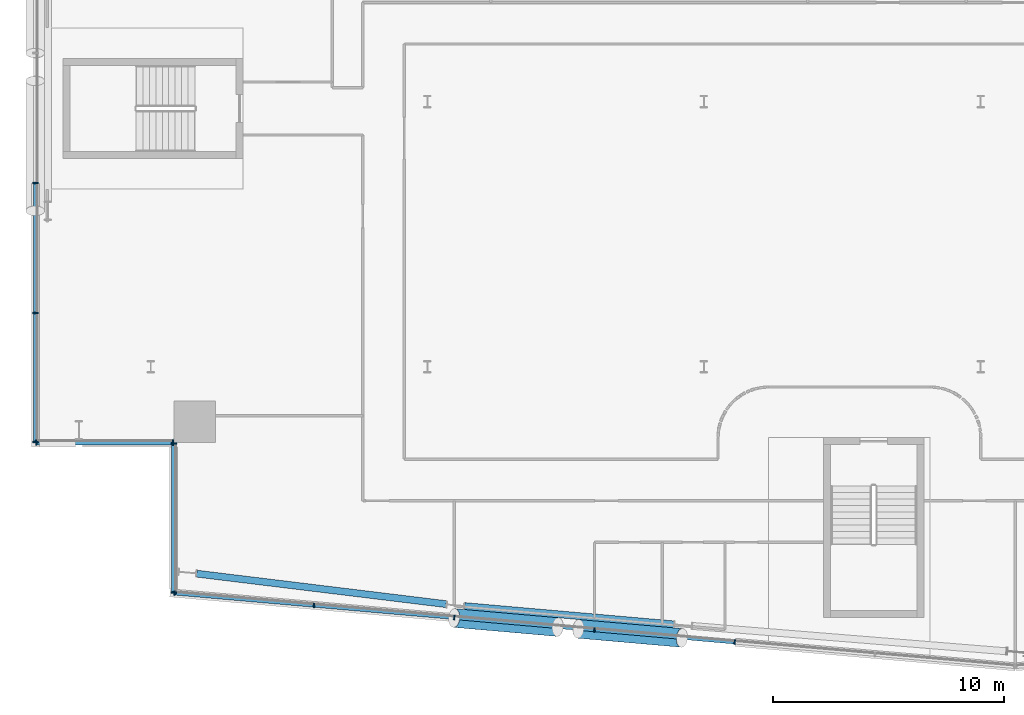
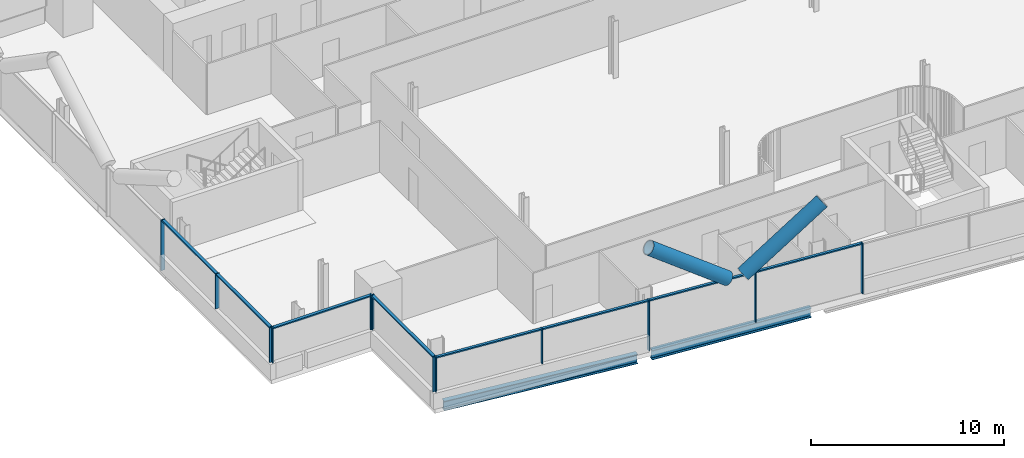
# One storey, part 5 of 31: 22 members, 2 beams, 4 elements without a shape of their own.
"""IFC4 building model written with IfcOpenShell, lengths in metres."""

from ifc_helpers import new_model, si_unit, direction, frame, origin, origin_2d, place, context, subcontext, project, spatial, rectangle, hollow_circle, i_section, extrude, material, material_profile, profile_set, type_object, element, aggregate, save


model = new_model("IFC4")

# Units and contexts
model_context = context("Model", 3, precision=1e-05, world=origin(), true_north=direction((0.0, 1.0)))
body_context = subcontext(model_context, "Body", "Model", "MODEL_VIEW")
ifc_project = project(units=[si_unit("LENGTHUNIT", "METRE"), si_unit("AREAUNIT", "SQUARE_METRE"), si_unit("VOLUMEUNIT", "CUBIC_METRE"), si_unit("PLANEANGLEUNIT", "RADIAN"), si_unit("MASSUNIT", "GRAM", prefix="KILO")], contexts=[model_context])

# Site, building, storey
site_placement = place(None, origin())
site = spatial("IfcSite", under=ifc_project, at=site_placement, CompositionType="ELEMENT")
building_placement = place(site_placement, origin())
building = spatial("IfcBuilding", under=site, at=building_placement, Name="Wharfspan Tower", CompositionType="ELEMENT")
storey_placement = place(building_placement, frame((0.0, 0.0, 103.899902)))
storey = spatial("IfcBuildingStorey", under=building, at=storey_placement, Name="L23", CompositionType="ELEMENT", Elevation=103.899902)

# Beams
ifc_material_1 = material(Name="Steel S355J2", Category="steel")
ifc_material_profile_1 = material_profile(ifc_material_1, i_section(OverallWidth=0.300049, OverallDepth=0.600098, WebThickness=0.015381, FlangeThickness=0.030029, FilletRadius=0.0271, at=origin_2d()))
ifc_profile_set_1 = profile_set([ifc_material_profile_1], Name="Steel S355J2")
beam_type = type_object("IfcBeamType", Name="Edge beam HEB 600", PredefinedType="SPANDREL", material=ifc_profile_set_1)
beam_1_placement = place(storey_placement, frame((13.990967, 2.520508, -0.699951), z_axis=(0.992611, -0.121342, 0.0), x_axis=(0.121342, 0.992611, 0.0)))
element("IfcBeam", 1, at=beam_1_placement, inside=storey, type_object=beam_type, Name="Edge beam S1 L23 PS1.1 to PS1.2", PredefinedType="SPANDREL", context=body_context, shape_type="SweptSolid", body=[
    extrude(i_section(OverallWidth=0.300049, OverallDepth=0.600098, WebThickness=0.015381, FlangeThickness=0.030029, FilletRadius=0.0271, at=origin_2d()), origin(), (0.0, 0.0, 1.0), 10.903076),
])
beam_2_placement = place(storey_placement, frame((25.615234, 1.113525, -0.699951), z_axis=(0.996195, -0.087151, 0.0), x_axis=(0.087151, 0.996195, 0.0)))
element("IfcBeam", 2, at=beam_2_placement, inside=storey, type_object=beam_type, Name="Edge beam S1 L23 PS1.2 to PS1.3", PredefinedType="SPANDREL", context=body_context, shape_type="SweptSolid", body=[
    extrude(i_section(OverallWidth=0.300049, OverallDepth=0.600098, WebThickness=0.015381, FlangeThickness=0.030029, FilletRadius=0.0271, at=origin_2d()), origin(), (0.0, 0.0, 1.0), 9.107178),
])

# Curtain wall, members
ifc_material_2 = material(Name="Aluminium 6063-T6", Category="aluminium")
curtain_wall_type_1 = type_object("IfcCurtainWallType", Name="CURTAIN WALL FACETED FRONT", PredefinedType="NOTDEFINED", material=ifc_material_2)
curtain_wall_1_placement = place(storey_placement, origin())
curtain_wall_1 = element("IfcCurtainWall", 3, at=curtain_wall_1_placement, inside=storey, type_object=curtain_wall_type_1, Name="Curtain wall S1", PredefinedType="NOTDEFINED")
ifc_material_profile_2 = material_profile(ifc_material_2, rectangle(XDim=0.199951, YDim=0.060059, at=origin_2d()))
ifc_profile_set_2 = profile_set([ifc_material_profile_2], Name="Aluminium 6063-T6")
member_type_1 = type_object("IfcMemberType", Name="MULLION FACETED FRONT 60x200", PredefinedType="MULLION", material=ifc_profile_set_2)
member_1_placement = place(storey_placement, frame((13.029785, 1.672363, 1.0), z_axis=(0.0, 0.0, 1.0), x_axis=(0.087156, 0.996198, 0.0)))
member_1 = element("IfcMember", 4, at=member_1_placement, type_object=member_type_1, Name="Curtain wall S1 mullion 1", PredefinedType="MULLION", context=body_context, shape_type="SweptSolid", body=[
    extrude(rectangle(XDim=0.199951, YDim=0.060059, at=origin_2d()), origin(), (0.0, 0.0, 1.0), 2.200195),
])
member_2_placement = place(storey_placement, frame((19.083252, 1.142822, 1.0), z_axis=(0.0, 0.0, 1.0), x_axis=(0.087156, 0.996198, 0.0)))
member_2 = element("IfcMember", 5, at=member_2_placement, type_object=member_type_1, Name="Curtain wall S1 mullion 2", PredefinedType="MULLION", context=body_context, shape_type="SweptSolid", body=[
    extrude(rectangle(XDim=0.199951, YDim=0.060059, at=origin_2d()), origin(), (0.0, 0.0, 1.0), 2.200195),
])
member_3_placement = place(storey_placement, frame((25.166748, 0.610596, 0.0), z_axis=(0.0, 0.0, 1.0), x_axis=(0.087156, 0.996198, 0.0)))
member_3 = element("IfcMember", 6, at=member_3_placement, type_object=member_type_1, Name="Curtain wall S1 mullion 3", PredefinedType="MULLION", context=body_context, shape_type="SweptSolid", body=[
    extrude(rectangle(XDim=0.199951, YDim=0.060059, at=origin_2d()), origin(), (0.0, 0.0, 1.0), 3.200195),
])
member_4_placement = place(storey_placement, frame((31.25, 0.078369, 0.0), z_axis=(0.0, 0.0, 1.0), x_axis=(0.087156, 0.996198, 0.0)))
member_4 = element("IfcMember", 7, at=member_4_placement, type_object=member_type_1, Name="Curtain wall S1 mullion 4", PredefinedType="MULLION", context=body_context, shape_type="SweptSolid", body=[
    extrude(rectangle(XDim=0.199951, YDim=0.060059, at=origin_2d()), origin(), (0.0, 0.0, 1.0), 3.200195),
])
member_5_placement = place(storey_placement, frame((37.333252, -0.453857, 0.0), z_axis=(0.0, 0.0, 1.0), x_axis=(0.087156, 0.996198, 0.0)))
member_5 = element("IfcMember", 8, at=member_5_placement, type_object=member_type_1, Name="Curtain wall S1 mullion 5", PredefinedType="MULLION", context=body_context, shape_type="SweptSolid", body=[
    extrude(rectangle(XDim=0.199951, YDim=0.060059, at=origin_2d()), origin(), (0.0, 0.0, 1.0), 3.200195),
])

curtain_wall_type_2 = type_object("IfcCurtainWallType", Name="CURTAIN WALL PROW AND END", PredefinedType="NOTDEFINED", material=ifc_material_2)
curtain_wall_2_placement = place(storey_placement, origin())
curtain_wall_2 = element("IfcCurtainWall", 9, at=curtain_wall_2_placement, inside=storey, type_object=curtain_wall_type_2, Name="Curtain wall W", PredefinedType="NOTDEFINED")
ifc_material_profile_3 = material_profile(ifc_material_2, rectangle(XDim=0.23999, YDim=0.060059, at=origin_2d()))
ifc_profile_set_3 = profile_set([ifc_material_profile_3], Name="Aluminium 6063-T6")
member_type_2 = type_object("IfcMemberType", Name="MULLION PROW AND END 60x240", PredefinedType="MULLION", material=ifc_profile_set_3)
member_6_placement = place(storey_placement, frame((7.0, 19.466553, 0.0), z_axis=(0.0, 0.0, 1.0), x_axis=(1.0, 0.0, 0.0)))
member_6 = element("IfcMember", 10, at=member_6_placement, type_object=member_type_2, Name="Curtain wall W mullion 5", PredefinedType="MULLION", context=body_context, shape_type="SweptSolid", body=[
    extrude(rectangle(XDim=0.23999, YDim=0.060059, at=origin_2d()), origin(), (0.0, 0.0, 1.0), 3.200195),
])
member_7_placement = place(storey_placement, frame((7.0, 13.833252, 1.0), z_axis=(0.0, 0.0, 1.0), x_axis=(1.0, 0.0, 0.0)))
member_7 = element("IfcMember", 11, at=member_7_placement, type_object=member_type_2, Name="Curtain wall W mullion 6", PredefinedType="MULLION", context=body_context, shape_type="SweptSolid", body=[
    extrude(rectangle(XDim=0.23999, YDim=0.060059, at=origin_2d()), origin(), (0.0, 0.0, 1.0), 2.200195),
])
member_8_placement = place(storey_placement, frame((7.0, 8.22998, 1.0), z_axis=(0.0, 0.0, 1.0), x_axis=(1.0, 0.0, 0.0)))
member_8 = element("IfcMember", 12, at=member_8_placement, type_object=member_type_2, Name="Curtain wall W mullion 7", PredefinedType="MULLION", context=body_context, shape_type="SweptSolid", body=[
    extrude(rectangle(XDim=0.23999, YDim=0.060059, at=origin_2d()), origin(), (0.0, 0.0, 1.0), 2.200195),
])

curtain_wall_3_placement = place(storey_placement, origin())
curtain_wall_3 = element("IfcCurtainWall", 13, at=curtain_wall_3_placement, inside=storey, type_object=curtain_wall_type_2, Name="Curtain wall NFW-H", PredefinedType="NOTDEFINED")
member_9_placement = place(storey_placement, frame((7.030029, 8.199951, 1.0), z_axis=(0.0, 0.0, 1.0), x_axis=(0.0, 1.0, 0.0)))
member_9 = element("IfcMember", 14, at=member_9_placement, type_object=member_type_2, Name="Curtain wall NFW-H mullion 1", PredefinedType="MULLION", context=body_context, shape_type="SweptSolid", body=[
    extrude(rectangle(XDim=0.23999, YDim=0.060059, at=origin_2d()), origin(), (0.0, 0.0, 1.0), 2.200195),
])
member_10_placement = place(storey_placement, frame((12.969971, 8.199951, 1.0), z_axis=(0.0, 0.0, 1.0), x_axis=(0.0, 1.0, 0.0)))
member_10 = element("IfcMember", 15, at=member_10_placement, type_object=member_type_2, Name="Curtain wall NFW-H mullion 2", PredefinedType="MULLION", context=body_context, shape_type="SweptSolid", body=[
    extrude(rectangle(XDim=0.23999, YDim=0.060059, at=origin_2d()), origin(), (0.0, 0.0, 1.0), 2.200195),
])

curtain_wall_4_placement = place(storey_placement, origin())
curtain_wall_4 = element("IfcCurtainWall", 16, at=curtain_wall_4_placement, inside=storey, type_object=curtain_wall_type_2, Name="Curtain wall NFW-V", PredefinedType="NOTDEFINED")
member_11_placement = place(storey_placement, frame((13.0, 8.169922, 1.0), z_axis=(0.0, 0.0, 1.0), x_axis=(1.0, 0.0, 0.0)))
member_11 = element("IfcMember", 17, at=member_11_placement, type_object=member_type_2, Name="Curtain wall NFW-V mullion 1", PredefinedType="MULLION", context=body_context, shape_type="SweptSolid", body=[
    extrude(rectangle(XDim=0.23999, YDim=0.060059, at=origin_2d()), origin(), (0.0, 0.0, 1.0), 2.200195),
])
member_12_placement = place(storey_placement, frame((13.0, 1.705078, 1.0), z_axis=(0.0, 0.0, 1.0), x_axis=(1.0, 0.0, 0.0)))
member_12 = element("IfcMember", 18, at=member_12_placement, type_object=member_type_2, Name="Curtain wall NFW-V mullion 2", PredefinedType="MULLION", context=body_context, shape_type="SweptSolid", body=[
    extrude(rectangle(XDim=0.23999, YDim=0.060059, at=origin_2d()), origin(), (0.0, 0.0, 1.0), 2.200195),
])

# Members
ifc_material_3 = material(Name="Steel S460NH", Category="steel")
ifc_material_profile_4 = material_profile(ifc_material_3, hollow_circle(Radius=0.406494, WallThickness=0.040039, at=origin_2d()))
ifc_profile_set_4 = profile_set([ifc_material_profile_4], Name="Steel S460NH")
member_type_3 = type_object("IfcMemberType", Name="Mega brace CHS 813x40", PredefinedType="BRACE", material=ifc_profile_set_4)
member_13_placement = place(storey_placement, frame((30.551514, 0.124512, 3.227051), z_axis=(0.806035, -0.07053, 0.58765), x_axis=(0.087168, 0.996195, 2e-06)))
element("IfcMember", 19, at=member_13_placement, inside=storey, type_object=member_type_3, Name="Mega brace S1 L23 part 2", PredefinedType="BRACE", context=body_context, shape_type="SweptSolid", body=[
    extrude(hollow_circle(Radius=0.406494, WallThickness=0.040039, at=origin_2d()), origin(), (0.0, 0.0, 1.0), 5.56958),
])
member_14_placement = place(storey_placement, frame((29.654785, 0.202881, 3.227051), z_axis=(-0.806051, 0.070528, 0.587629), x_axis=(-0.087168, -0.996193, -4e-06)))
element("IfcMember", 20, at=member_14_placement, inside=storey, type_object=member_type_3, Name="Mega brace S1 L23 part 4", PredefinedType="BRACE", context=body_context, shape_type="SweptSolid", body=[
    extrude(hollow_circle(Radius=0.406494, WallThickness=0.040039, at=origin_2d()), origin(), (0.0, 0.0, 1.0), 5.569824),
])

# Member
ifc_material_profile_5 = material_profile(ifc_material_2, rectangle(XDim=0.159912, YDim=0.080078, at=origin_2d()))
ifc_profile_set_5 = profile_set([ifc_material_profile_5], Name="Aluminium 6063-T6")
member_type_4 = type_object("IfcMemberType", Name="TRANSOM FACETED FRONT 80x160", PredefinedType="USERDEFINED", material=ifc_profile_set_5)
member_15_placement = place(storey_placement, frame((13.059814, 1.669922, 3.160156), z_axis=(0.996194, -0.087162, 0.0), x_axis=(0.087162, 0.996194, 0.0)))
member_15 = element("IfcMember", 21, at=member_15_placement, type_object=member_type_4, Name="Curtain wall S1 transom 1", ObjectType="TRANSOM", PredefinedType="USERDEFINED", context=body_context, shape_type="SweptSolid", body=[
    extrude(rectangle(XDim=0.159912, YDim=0.080078, at=origin_2d()), origin(), (0.0, 0.0, 1.0), 6.016602),
])

member_16_placement = place(storey_placement, frame((19.113281, 1.140137, 3.160156), z_axis=(0.996197, -0.087135, 0.0), x_axis=(0.087135, 0.996197, 0.0)))
member_16 = element("IfcMember", 22, at=member_16_placement, type_object=member_type_4, Name="Curtain wall S1 transom 2", ObjectType="TRANSOM", PredefinedType="USERDEFINED", context=body_context, shape_type="SweptSolid", body=[
    extrude(rectangle(XDim=0.159912, YDim=0.080078, at=origin_2d()), origin(), (0.0, 0.0, 1.0), 6.046387),
])

member_17_placement = place(storey_placement, frame((25.196533, 0.60791, 3.160156), z_axis=(0.996197, -0.087131, 0.0), x_axis=(0.087131, 0.996197, 0.0)))
member_17 = element("IfcMember", 23, at=member_17_placement, type_object=member_type_4, Name="Curtain wall S1 transom 3", ObjectType="TRANSOM", PredefinedType="USERDEFINED", context=body_context, shape_type="SweptSolid", body=[
    extrude(rectangle(XDim=0.159912, YDim=0.080078, at=origin_2d()), origin(), (0.0, 0.0, 1.0), 6.046631),
])

member_18_placement = place(storey_placement, frame((31.279785, 0.075684, 3.160156), z_axis=(0.996197, -0.087131, 0.0), x_axis=(0.087131, 0.996197, 0.0)))
member_18 = element("IfcMember", 24, at=member_18_placement, type_object=member_type_4, Name="Curtain wall S1 transom 4", ObjectType="TRANSOM", PredefinedType="USERDEFINED", context=body_context, shape_type="SweptSolid", body=[
    extrude(rectangle(XDim=0.159912, YDim=0.080078, at=origin_2d()), origin(), (0.0, 0.0, 1.0), 6.046631),
])

aggregate(curtain_wall_1, [member_1, member_2, member_3, member_4, member_5, member_15, member_16, member_17, member_18])

ifc_material_profile_6 = material_profile(ifc_material_2, rectangle(XDim=0.179932, YDim=0.080078, at=origin_2d()))
ifc_profile_set_6 = profile_set([ifc_material_profile_6], Name="Aluminium 6063-T6")
member_type_5 = type_object("IfcMemberType", Name="TRANSOM PROW AND END 80x180", PredefinedType="USERDEFINED", material=ifc_profile_set_6)
member_19_placement = place(storey_placement, frame((7.0, 19.436768, 3.160156), z_axis=(0.0, -1.0, 0.0), x_axis=(1.0, 0.0, 0.0)))
member_19 = element("IfcMember", 25, at=member_19_placement, type_object=member_type_5, Name="Curtain wall W transom 5", ObjectType="TRANSOM", PredefinedType="USERDEFINED", context=body_context, shape_type="SweptSolid", body=[
    extrude(rectangle(XDim=0.179932, YDim=0.080078, at=origin_2d()), origin(), (0.0, 0.0, 1.0), 5.573486),
])

member_20_placement = place(storey_placement, frame((7.0, 13.803223, 3.160156), z_axis=(0.0, -1.0, 0.0), x_axis=(1.0, 0.0, 0.0)))
member_20 = element("IfcMember", 26, at=member_20_placement, type_object=member_type_5, Name="Curtain wall W transom 6", ObjectType="TRANSOM", PredefinedType="USERDEFINED", context=body_context, shape_type="SweptSolid", body=[
    extrude(rectangle(XDim=0.179932, YDim=0.080078, at=origin_2d()), origin(), (0.0, 0.0, 1.0), 5.543213),
])

aggregate(curtain_wall_2, [member_6, member_7, member_8, member_19, member_20])

member_21_placement = place(storey_placement, frame((7.060059, 8.199951, 3.160156), z_axis=(1.0, 0.0, 0.0), x_axis=(0.0, 1.0, 0.0)))
member_21 = element("IfcMember", 27, at=member_21_placement, type_object=member_type_5, Name="Curtain wall NFW-H transom 1", ObjectType="TRANSOM", PredefinedType="USERDEFINED", context=body_context, shape_type="SweptSolid", body=[
    extrude(rectangle(XDim=0.179932, YDim=0.080078, at=origin_2d()), origin(), (0.0, 0.0, 1.0), 5.879883),
])

aggregate(curtain_wall_3, [member_9, member_10, member_21])

member_22_placement = place(storey_placement, frame((13.0, 8.139893, 3.160156), z_axis=(0.0, -1.0, 0.0), x_axis=(1.0, 0.0, 0.0)))
member_22 = element("IfcMember", 28, at=member_22_placement, type_object=member_type_5, Name="Curtain wall NFW-V transom 1", ObjectType="TRANSOM", PredefinedType="USERDEFINED", context=body_context, shape_type="SweptSolid", body=[
    extrude(rectangle(XDim=0.179932, YDim=0.080078, at=origin_2d()), origin(), (0.0, 0.0, 1.0), 6.404785),
])

aggregate(curtain_wall_4, [member_11, member_12, member_22])

save(model, "model.ifc")
